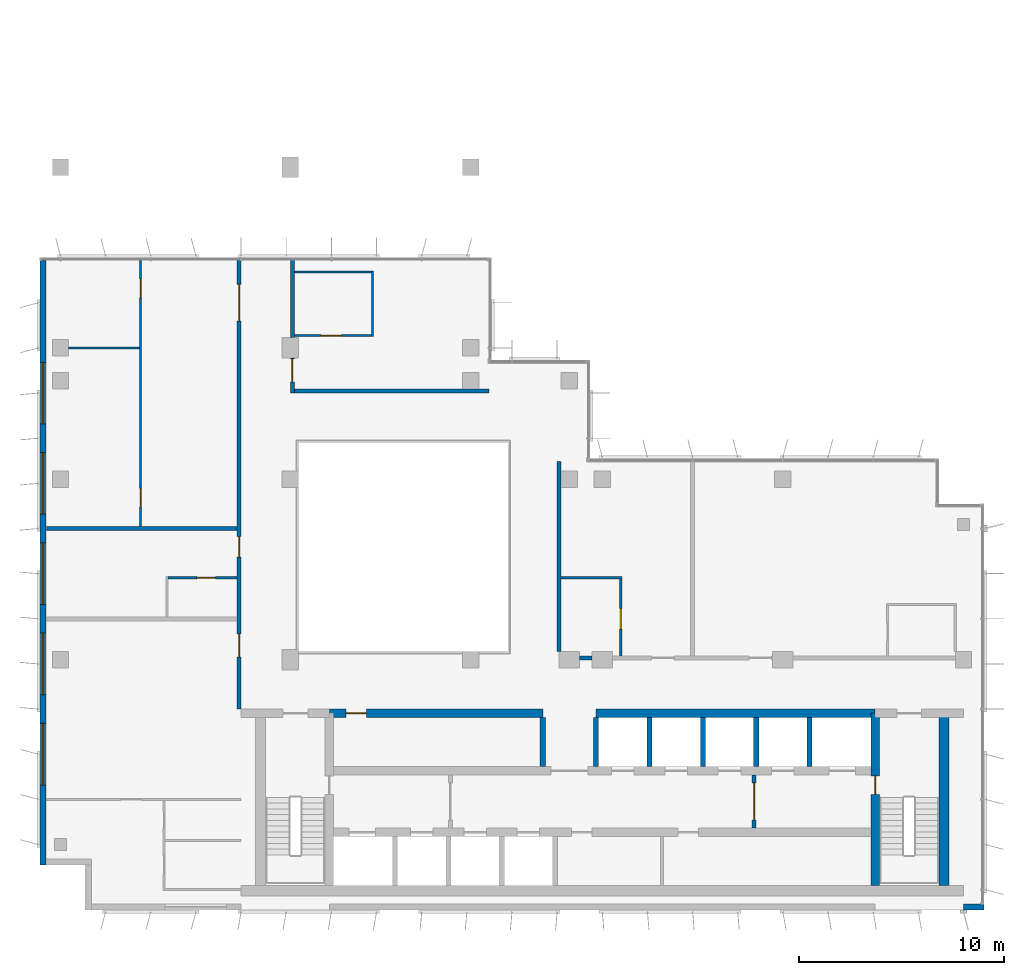
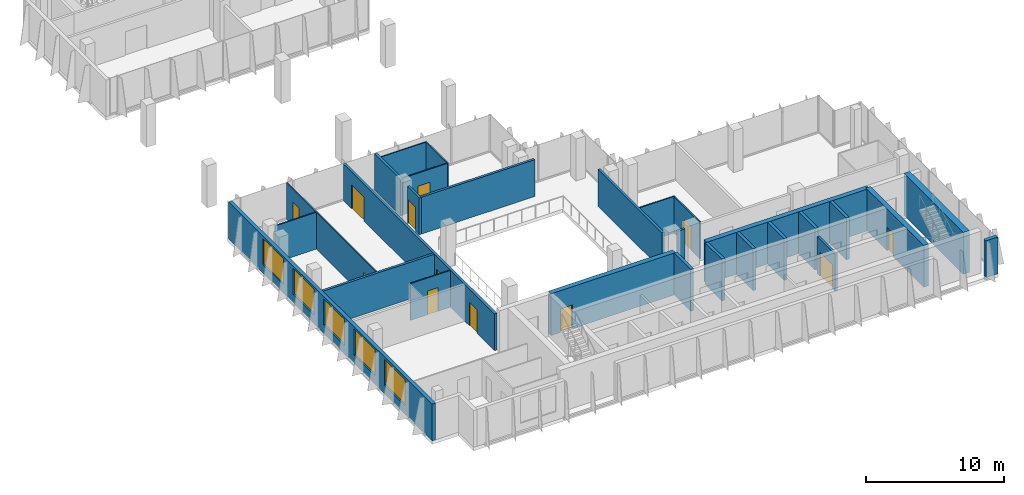
# One storey, part 10 of 13: 28 walls, 12 doors, 5 windows, 17 openings.
"""IFC4 building model written with IfcOpenShell, lengths in metres."""

from ifc_helpers import new_model, si_unit, direction, frame, frame_2d, origin, place, context, subcontext, project, spatial, rectangle, extrude, material, layer, layer_set, type_object, element, fill, save


model = new_model("IFC4")

# Units and contexts
model_context = context("Model", 3, precision=1e-05, world=origin(), true_north=direction((0.0, 1.0)))
body_context = subcontext(model_context, "Body", "Model", "MODEL_VIEW")
ifc_project = project(units=[si_unit("LENGTHUNIT", "METRE"), si_unit("AREAUNIT", "SQUARE_METRE"), si_unit("VOLUMEUNIT", "CUBIC_METRE"), si_unit("PLANEANGLEUNIT", "RADIAN"), si_unit("MASSUNIT", "GRAM", prefix="KILO")], contexts=[model_context])

# Site, building, storey
site_placement = place(None, origin())
site = spatial("IfcSite", under=ifc_project, at=site_placement, CompositionType="ELEMENT")
building_placement = place(site_placement, origin())
building = spatial("IfcBuilding", under=site, at=building_placement, Name="Kemantara Hotel Tower", CompositionType="ELEMENT")
storey_placement = place(building_placement, frame((0.0, 0.0, 252.39990234375)))
storey = spatial("IfcBuildingStorey", under=building, at=storey_placement, Name="L63", CompositionType="ELEMENT", Elevation=252.39990234375)

# Wall, openings, windows
ifc_material_1 = material(Name="Bronze anodised aluminium cladding on insulated steel stud wall", Category="steel")
ifc_layer_1 = layer(ifc_material_1, 0.300048828125)
ifc_layer_set_1 = layer_set([ifc_layer_1], Name="Bronze anodised aluminium cladding on insulated steel stud wall")
wall_type_1 = type_object("IfcWallType", Name="BRONZE METAL-CLAD EXTERNAL WALL 300", PredefinedType="STANDARD", material=ifc_layer_set_1)
wall_1_placement = place(storey_placement, frame((0.14990234375, 31.64990234375, 0.0), z_axis=(0.0, 0.0, 1.0), x_axis=(0.0, -1.0, 0.0)))
wall_1 = element("IfcWall", 1, at=wall_1_placement, inside=storey, type_object=wall_type_1, Name="EXTERNAL WALL L63 T4P-R02", PredefinedType="STANDARD", context=body_context, shape_type="SweptSolid", body=[
    extrude(rectangle(XDim=29.449951171875, YDim=0.300048828125, at=frame_2d((14.72509765625, 0.0))), origin(), (0.0, 0.0, 1.0), 3.25),
])
opening_1_placement = place(wall_1_placement, frame((4.949951171875, 0.0, 0.75)))
opening_1 = element("IfcOpeningElement", 2, at=opening_1_placement, cuts=wall_1, Name="Opening W1", PredefinedType="OPENING", context=body_context, shape_type="SweptSolid", body=[
    extrude(rectangle(XDim=3.0, YDim=2.300048828125, at=frame_2d((1.5, 1.14990234375))), frame((0.0, 0.159912109375, 0.0), z_axis=(0.0, -1.0, 0.0), x_axis=(1.0, 0.0, 0.0)), (0.0, 0.0, 1.0), 0.320068359375),
])
opening_2_placement = place(wall_1_placement, frame((9.35009765625, 0.0, 0.75)))
opening_2 = element("IfcOpeningElement", 3, at=opening_2_placement, cuts=wall_1, Name="Opening W1", PredefinedType="OPENING", context=body_context, shape_type="SweptSolid", body=[
    extrude(rectangle(XDim=3.0, YDim=2.300048828125, at=frame_2d((1.5, 1.14990234375))), frame((0.0, 0.159912109375, 0.0), z_axis=(0.0, -1.0, 0.0), x_axis=(1.0, 0.0, 0.0)), (0.0, 0.0, 1.0), 0.320068359375),
])
opening_3_placement = place(wall_1_placement, frame((13.75, 0.0, 0.75)))
opening_3 = element("IfcOpeningElement", 4, at=opening_3_placement, cuts=wall_1, Name="Opening W1", PredefinedType="OPENING", context=body_context, shape_type="SweptSolid", body=[
    extrude(rectangle(XDim=3.0, YDim=2.300048828125, at=frame_2d((1.5, 1.14990234375))), frame((0.0, 0.159912109375, 0.0), z_axis=(0.0, -1.0, 0.0), x_axis=(1.0, 0.0, 0.0)), (0.0, 0.0, 1.0), 0.320068359375),
])
opening_4_placement = place(wall_1_placement, frame((18.14990234375, 0.0, 0.75)))
opening_4 = element("IfcOpeningElement", 5, at=opening_4_placement, cuts=wall_1, Name="Opening W1", PredefinedType="OPENING", context=body_context, shape_type="SweptSolid", body=[
    extrude(rectangle(XDim=3.0, YDim=2.300048828125, at=frame_2d((1.5, 1.14990234375))), frame((0.0, 0.159912109375, 0.0), z_axis=(0.0, -1.0, 0.0), x_axis=(1.0, 0.0, 0.0)), (0.0, 0.0, 1.0), 0.320068359375),
])
opening_5_placement = place(wall_1_placement, frame((22.550048828125, 0.0, 0.75)))
opening_5 = element("IfcOpeningElement", 6, at=opening_5_placement, cuts=wall_1, Name="Opening W1", PredefinedType="OPENING", context=body_context, shape_type="SweptSolid", body=[
    extrude(rectangle(XDim=3.0, YDim=2.300048828125, at=frame_2d((1.5, 1.14990234375))), frame((0.0, 0.159912109375, 0.0), z_axis=(0.0, -1.0, 0.0), x_axis=(1.0, 0.0, 0.0)), (0.0, 0.0, 1.0), 0.320068359375),
])
ifc_material_2 = material(Name="Low-E tinted double insulated glass in bronze anodised aluminium frame", Category="aluminium")
window_type = type_object("IfcWindowType", Name="CHICAGO WINDOW, TRIPLE PANEL 3000x2300", PartitioningType="TRIPLE_PANEL_VERTICAL", PredefinedType="WINDOW", material=ifc_material_2)
window_1_placement = place(opening_1_placement, origin())
window_1 = element("IfcWindow", 7, at=window_1_placement, inside=storey, type_object=window_type, Name="CHICAGO WINDOW L63 T4P-R02-66", OverallHeight=2.300048828125, OverallWidth=3.0, PartitioningType="SINGLE_PANEL", PredefinedType="WINDOW", context=body_context, shape_type="SweptSolid", body=[
    extrude(rectangle(XDim=3.0, YDim=2.300048828125, at=frame_2d((1.5, 1.14990234375))), frame((0.0, 0.030029296875, 0.0), z_axis=(0.0, -1.0, 0.0), x_axis=(1.0, 0.0, 0.0)), (0.0, 0.0, 1.0), 0.06005859375),
])
fill(opening_1, window_1)
window_2_placement = place(opening_2_placement, origin())
window_2 = element("IfcWindow", 8, at=window_2_placement, inside=storey, type_object=window_type, Name="CHICAGO WINDOW L63 T4P-R02-110", OverallHeight=2.300048828125, OverallWidth=3.0, PartitioningType="SINGLE_PANEL", PredefinedType="WINDOW", context=body_context, shape_type="SweptSolid", body=[
    extrude(rectangle(XDim=3.0, YDim=2.300048828125, at=frame_2d((1.5, 1.14990234375))), frame((0.0, 0.030029296875, 0.0), z_axis=(0.0, -1.0, 0.0), x_axis=(1.0, 0.0, 0.0)), (0.0, 0.0, 1.0), 0.06005859375),
])
fill(opening_2, window_2)
window_3_placement = place(opening_3_placement, origin())
window_3 = element("IfcWindow", 9, at=window_3_placement, inside=storey, type_object=window_type, Name="CHICAGO WINDOW L63 T4P-R02-154", OverallHeight=2.300048828125, OverallWidth=3.0, PartitioningType="SINGLE_PANEL", PredefinedType="WINDOW", context=body_context, shape_type="SweptSolid", body=[
    extrude(rectangle(XDim=3.0, YDim=2.300048828125, at=frame_2d((1.5, 1.14990234375))), frame((0.0, 0.030029296875, 0.0), z_axis=(0.0, -1.0, 0.0), x_axis=(1.0, 0.0, 0.0)), (0.0, 0.0, 1.0), 0.06005859375),
])
fill(opening_3, window_3)
window_4_placement = place(opening_4_placement, origin())
window_4 = element("IfcWindow", 10, at=window_4_placement, inside=storey, type_object=window_type, Name="CHICAGO WINDOW L63 T4P-R02-198", OverallHeight=2.300048828125, OverallWidth=3.0, PartitioningType="SINGLE_PANEL", PredefinedType="WINDOW", context=body_context, shape_type="SweptSolid", body=[
    extrude(rectangle(XDim=3.0, YDim=2.300048828125, at=frame_2d((1.5, 1.14990234375))), frame((0.0, 0.030029296875, 0.0), z_axis=(0.0, -1.0, 0.0), x_axis=(1.0, 0.0, 0.0)), (0.0, 0.0, 1.0), 0.06005859375),
])
fill(opening_4, window_4)
window_5_placement = place(opening_5_placement, origin())
window_5 = element("IfcWindow", 11, at=window_5_placement, inside=storey, type_object=window_type, Name="CHICAGO WINDOW L63 T4P-R02-242", OverallHeight=2.300048828125, OverallWidth=3.0, PartitioningType="SINGLE_PANEL", PredefinedType="WINDOW", context=body_context, shape_type="SweptSolid", body=[
    extrude(rectangle(XDim=3.0, YDim=2.300048828125, at=frame_2d((1.5, 1.14990234375))), frame((0.0, 0.030029296875, 0.0), z_axis=(0.0, -1.0, 0.0), x_axis=(1.0, 0.0, 0.0)), (0.0, 0.0, 1.0), 0.06005859375),
])
fill(opening_5, window_5)

# Walls
wall_2_placement = place(storey_placement, frame((45.0, 0.14990234375, 0.0), z_axis=(0.0, 0.0, 1.0), x_axis=(1.0, 0.0, 0.0)))
element("IfcWall", 12, at=wall_2_placement, inside=storey, type_object=wall_type_1, Name="EXTERNAL WALL L63 T4P-R05-3", PredefinedType="STANDARD", context=body_context, shape_type="SweptSolid", body=[
    extrude(rectangle(XDim=1.0, YDim=0.300048828125, at=frame_2d((0.5, 0.0))), origin(), (0.0, 0.0, 1.0), 3.25),
])
ifc_material_3 = material(Name="Concrete fc 60 MPa", Category="concrete")
ifc_layer_2 = layer(ifc_material_3, 0.25)
ifc_layer_set_2 = layer_set([ifc_layer_2], Name="Concrete fc 60 MPa")
wall_type_2 = type_object("IfcWallType", Name="CORE WALL 250 FC60", PredefinedType="SHEAR", material=ifc_layer_set_2)
for number, where, z_axis, x_axis, name in (
    (13, (24.5, 7.0, 0.0), (0.0, 0.0, 1.0), (0.0, 1.0, 0.0), "CORE WALL CW-DN24.5"),
    (14, (27.10009765625, 7.0, 0.0), (0.0, 0.0, 1.0), (0.0, 1.0, 0.0), "CORE WALL CW-DN27.1"),
    (15, (29.699951171875, 7.0, 0.0), (0.0, 0.0, 1.0), (0.0, 1.0, 0.0), "CORE WALL CW-DN29.7"),
    (16, (32.300048828125, 7.0, 0.0), (0.0, 0.0, 1.0), (0.0, 1.0, 0.0), "CORE WALL CW-DN32.3"),
    (17, (34.89990234375, 7.0, 0.0), (0.0, 0.0, 1.0), (0.0, 1.0, 0.0), "CORE WALL CW-DN34.9"),
    (18, (37.5, 7.0, 0.0), (0.0, 0.0, 1.0), (0.0, 1.0, 0.0), "CORE WALL CW-DN37.5"),
):
    element("IfcWall", number, at=place(storey_placement, frame(where, z_axis=z_axis, x_axis=x_axis)), inside=storey, type_object=wall_type_2, Name=name, PredefinedType="SHEAR", context=body_context, shape_type="SweptSolid", body=[
        extrude(rectangle(XDim=2.39990234375, YDim=0.25, at=frame_2d((1.199951171875, 0.0))), origin(), (0.0, 0.0, 1.0), 3.7001953125),
    ])

# Wall, opening, door
ifc_layer_3 = layer(ifc_material_3, 0.39990234375)
ifc_layer_set_3 = layer_set([ifc_layer_3], Name="Concrete fc 60 MPa")
wall_type_3 = type_object("IfcWallType", Name="CORE WALL 400 FC60", PredefinedType="SHEAR", material=ifc_layer_set_3)
wall_3_placement = place(storey_placement, frame((14.10009765625, 9.60009765625, 0.0), z_axis=(0.0, 0.0, 1.0), x_axis=(1.0, 0.0, 0.0)))
wall_3 = element("IfcWall", 19, at=wall_3_placement, inside=storey, type_object=wall_type_3, Name="CORE WALL CW-NN1", PredefinedType="SHEAR", context=body_context, shape_type="SweptSolid", body=[
    extrude(rectangle(XDim=10.39990234375, YDim=0.39990234375, at=frame_2d((5.199951171875, 0.0))), origin(), (0.0, 0.0, 1.0), 3.7001953125),
])
opening_6_placement = place(wall_3_placement, frame((0.800048828125, 0.0, 0.0)))
opening_6 = element("IfcOpeningElement", 20, at=opening_6_placement, cuts=wall_3, Name="Opening C37-R-NW1", PredefinedType="OPENING", context=body_context, shape_type="SweptSolid", body=[
    extrude(rectangle(XDim=1.0, YDim=2.10009765625, at=frame_2d((0.5, 1.050048828125))), frame((0.0, 0.2099609375, 0.0), z_axis=(0.0, -1.0, 0.0), x_axis=(1.0, 0.0, 0.0)), (0.0, 0.0, 1.0), 0.419921875),
])
ifc_material_4 = material(Name="Steel fire door", Category="steel")
door_type_1 = type_object("IfcDoorType", Name="Fire door FD30S 1000 x 2100", OperationType="NOTDEFINED", PredefinedType="DOOR", material=ifc_material_4)
door_1_placement = place(opening_6_placement, frame((1.0, 0.0, 0.0), z_axis=(0.0, 0.0, 1.0), x_axis=(-1.0, 0.0, 0.0)))
door_1 = element("IfcDoor", 21, at=door_1_placement, inside=storey, type_object=door_type_1, Name="Housekeeping Store door", OperationType="SINGLE_SWING_RIGHT", OverallHeight=2.10009765625, OverallWidth=1.0, PredefinedType="DOOR", context=body_context, shape_type="SweptSolid", body=[
    extrude(rectangle(XDim=1.0, YDim=2.10009765625, at=frame_2d((0.5, 1.050048828125))), frame((0.0, 0.02490234375, 0.0), z_axis=(0.0, -1.0, 0.0), x_axis=(1.0, 0.0, 0.0)), (0.0, 0.0, 1.0), 0.050048828125),
])
fill(opening_6, door_1)

# Wall
wall_4_placement = place(storey_placement, frame((27.10009765625, 9.60009765625, 0.0), z_axis=(0.0, 0.0, 1.0), x_axis=(1.0, 0.0, 0.0)))
element("IfcWall", 22, at=wall_4_placement, inside=storey, type_object=wall_type_3, Name="CORE WALL CW-NN2", PredefinedType="SHEAR", context=body_context, shape_type="SweptSolid", body=[
    extrude(rectangle(XDim=13.599853515625, YDim=0.39990234375, at=frame_2d((6.7998046875, 0.0))), origin(), (0.0, 0.0, 1.0), 3.7001953125),
])

# Wall, opening, door
wall_5_placement = place(storey_placement, frame((40.699951171875, 1.199951171875, 0.0), z_axis=(0.0, 0.0, 1.0), x_axis=(0.0, 1.0, 0.0)))
wall_5 = element("IfcWall", 23, at=wall_5_placement, inside=storey, type_object=wall_type_3, Name="CORE WALL CW-ST2W", PredefinedType="SHEAR", context=body_context, shape_type="SweptSolid", body=[
    extrude(rectangle(XDim=8.400146484375, YDim=0.39990234375, at=frame_2d((4.2001953125, 0.0))), origin(), (0.0, 0.0, 1.0), 3.7001953125),
])
opening_7_placement = place(wall_5_placement, frame((4.449951171875, 0.0, 0.0)))
opening_7 = element("IfcOpeningElement", 24, at=opening_7_placement, cuts=wall_5, Name="Opening C37-ST2-F", PredefinedType="OPENING", context=body_context, shape_type="SweptSolid", body=[
    extrude(rectangle(XDim=0.89990234375, YDim=2.10009765625, at=frame_2d((0.449951171875, 1.050048828125))), frame((0.0, 0.2099609375, 0.0), z_axis=(0.0, -1.0, 0.0), x_axis=(1.0, 0.0, 0.0)), (0.0, 0.0, 1.0), 0.419921875),
])
door_type_2 = type_object("IfcDoorType", Name="Fire door FD90 900 x 2100", OperationType="NOTDEFINED", PredefinedType="DOOR", material=ifc_material_4)
door_2_placement = place(opening_7_placement, frame((0.89990234375, 0.0, 0.0), z_axis=(0.0, 0.0, 1.0), x_axis=(-1.0, 0.0, 0.0)))
door_2 = element("IfcDoor", 25, at=door_2_placement, inside=storey, type_object=door_type_2, Name="Stair ST2 door to firefighting lobby", OperationType="SINGLE_SWING_LEFT", OverallHeight=2.10009765625, OverallWidth=0.89990234375, PredefinedType="DOOR", context=body_context, shape_type="SweptSolid", body=[
    extrude(rectangle(XDim=0.89990234375, YDim=2.10009765625, at=frame_2d((0.449951171875, 1.050048828125))), frame((0.0, 0.02490234375, 0.0), z_axis=(0.0, -1.0, 0.0), x_axis=(1.0, 0.0, 0.0)), (0.0, 0.0, 1.0), 0.050048828125),
])
fill(opening_7, door_2)

# Walls
ifc_layer_4 = layer(ifc_material_3, 0.5)
ifc_layer_set_4 = layer_set([ifc_layer_4], Name="Concrete fc 60 MPa")
wall_type_4 = type_object("IfcWallType", Name="CORE WALL 500 FC60", PredefinedType="SHEAR", material=ifc_layer_set_4)
wall_6_placement = place(storey_placement, frame((44.050048828125, 1.199951171875, 0.0), z_axis=(0.0, 0.0, 1.0), x_axis=(0.0, 1.0, 0.0)))
element("IfcWall", 26, at=wall_6_placement, inside=storey, type_object=wall_type_4, Name="CORE WALL CW-E", PredefinedType="SHEAR", context=body_context, shape_type="SweptSolid", body=[
    extrude(rectangle(XDim=8.60009765625, YDim=0.5, at=frame_2d((4.300048828125, 0.0))), origin(), (0.0, 0.0, 1.0), 3.7001953125),
])
ifc_material_5 = material(Name="Gypsum board partition, steel studs and mineral wool, 200 mm", Category="steel")
ifc_layer_5 = layer(ifc_material_5, 0.199951171875)
ifc_layer_set_5 = layer_set([ifc_layer_5], Name="Gypsum board partition, steel studs and mineral wool, 200 mm")
wall_type_5 = type_object("IfcWallType", Name="CORRIDOR WALL 200", PredefinedType="PARTITIONING", material=ifc_layer_set_5)
wall_7_placement = place(storey_placement, frame((26.300048828125, 12.300048828125, 0.0), z_axis=(0.0, 0.0, 1.0), x_axis=(1.0, 0.0, 0.0)))
element("IfcWall", 27, at=wall_7_placement, inside=storey, type_object=wall_type_5, Name="CORRIDOR WALL 200 009", PredefinedType="PARTITIONING", context=body_context, shape_type="SweptSolid", body=[
    extrude(rectangle(XDim=0.599853515625, YDim=0.199951171875, at=frame_2d((0.2998046875, 0.0))), origin(), (0.0, 0.0, 1.0), 3.25),
])

# Wall, openings, doors
wall_8_placement = place(storey_placement, frame((9.699951171875, 9.800048828125, 0.0), z_axis=(0.0, 0.0, 1.0), x_axis=(0.0, 1.0, 0.0)))
wall_8 = element("IfcWall", 28, at=wall_8_placement, inside=storey, type_object=wall_type_5, Name="CORRIDOR WALL 200 014", PredefinedType="PARTITIONING", context=body_context, shape_type="SweptSolid", body=[
    extrude(rectangle(XDim=21.8798828125, YDim=0.199951171875, at=frame_2d((10.93994140625, 0.0))), origin(), (0.0, 0.0, 1.0), 3.25),
])
opening_8_placement = place(wall_8_placement, frame((2.550048828125, 0.0, 0.0)))
opening_8 = element("IfcOpeningElement", 29, at=opening_8_placement, cuts=wall_8, Name="Opening F31-005", PredefinedType="OPENING", context=body_context, shape_type="SweptSolid", body=[
    extrude(rectangle(XDim=1.10009765625, YDim=2.10009765625, at=frame_2d((0.550048828125, 1.050048828125))), frame((0.0, 0.10986328125, 0.0), z_axis=(0.0, -1.0, 0.0), x_axis=(1.0, 0.0, 0.0)), (0.0, 0.0, 1.0), 0.219970703125),
])
opening_9_placement = place(wall_8_placement, frame((7.39990234375, 0.0, 0.0)))
opening_9 = element("IfcOpeningElement", 30, at=opening_9_placement, cuts=wall_8, Name="Opening F31-009", PredefinedType="OPENING", context=body_context, shape_type="SweptSolid", body=[
    extrude(rectangle(XDim=1.0, YDim=2.10009765625, at=frame_2d((0.5, 1.050048828125))), frame((0.0, 0.10986328125, 0.0), z_axis=(0.0, -1.0, 0.0), x_axis=(1.0, 0.0, 0.0)), (0.0, 0.0, 1.0), 0.219970703125),
])
opening_10_placement = place(wall_8_placement, frame((18.89990234375, 0.0, 0.0)))
opening_10 = element("IfcOpeningElement", 31, at=opening_10_placement, cuts=wall_8, Name="Opening F31-011", PredefinedType="OPENING", context=body_context, shape_type="SweptSolid", body=[
    extrude(rectangle(XDim=1.800048828125, YDim=2.10009765625, at=frame_2d((0.89990234375, 1.050048828125))), frame((0.0, 0.10986328125, 0.0), z_axis=(0.0, -1.0, 0.0), x_axis=(1.0, 0.0, 0.0)), (0.0, 0.0, 1.0), 0.219970703125),
])
ifc_material_6 = material(Name="Hardwood veneer door leaf with steel frame", Category="steel")
door_type_3 = type_object("IfcDoorType", Name="AMENITY ROOM DOOR 1800 X 2100 FD30S", OperationType="NOTDEFINED", PredefinedType="DOOR", material=ifc_material_6)
door_3_placement = place(opening_10_placement, origin())
door_3 = element("IfcDoor", 32, at=door_3_placement, inside=storey, type_object=door_type_3, Name="AMENITY ROOM DOOR F31-011", OperationType="DOUBLE_DOOR_SINGLE_SWING", OverallHeight=2.10009765625, OverallWidth=1.800048828125, PredefinedType="DOOR", context=body_context, shape_type="SweptSolid", body=[
    extrude(rectangle(XDim=1.800048828125, YDim=2.10009765625, at=frame_2d((0.89990234375, 1.050048828125))), frame((0.0, 0.02490234375, 0.0), z_axis=(0.0, -1.0, 0.0), x_axis=(1.0, 0.0, 0.0)), (0.0, 0.0, 1.0), 0.050048828125),
])
fill(opening_10, door_3)
door_type_4 = type_object("IfcDoorType", Name="GUEST ROOM DOOR 1000 X 2100 FD30S", OperationType="NOTDEFINED", PredefinedType="DOOR", material=ifc_material_6)
door_4_placement = place(opening_9_placement, origin())
door_4 = element("IfcDoor", 33, at=door_4_placement, inside=storey, type_object=door_type_4, Name="GUEST ROOM DOOR F31-009", OperationType="SINGLE_SWING_RIGHT", OverallHeight=2.10009765625, OverallWidth=1.0, PredefinedType="DOOR", context=body_context, shape_type="SweptSolid", body=[
    extrude(rectangle(XDim=1.0, YDim=2.10009765625, at=frame_2d((0.5, 1.050048828125))), frame((0.0, 0.02490234375, 0.0), z_axis=(0.0, -1.0, 0.0), x_axis=(1.0, 0.0, 0.0)), (0.0, 0.0, 1.0), 0.050048828125),
])
fill(opening_9, door_4)
door_type_5 = type_object("IfcDoorType", Name="SUITE ENTRANCE DOOR 1100 X 2100 FD30S", OperationType="NOTDEFINED", PredefinedType="DOOR", material=ifc_material_6)
door_5_placement = place(opening_8_placement, origin())
door_5 = element("IfcDoor", 34, at=door_5_placement, inside=storey, type_object=door_type_5, Name="SUITE ENTRANCE DOOR F31-005", OperationType="SINGLE_SWING_RIGHT", OverallHeight=2.10009765625, OverallWidth=1.10009765625, PredefinedType="DOOR", context=body_context, shape_type="SweptSolid", body=[
    extrude(rectangle(XDim=1.10009765625, YDim=2.10009765625, at=frame_2d((0.550048828125, 1.050048828125))), frame((0.0, 0.02490234375, 0.0), z_axis=(0.0, -1.0, 0.0), x_axis=(1.0, 0.0, 0.0)), (0.0, 0.0, 1.0), 0.050048828125),
])
fill(opening_8, door_5)

# Wall, opening, door
wall_9_placement = place(storey_placement, frame((12.300048828125, 26.89990234375, 0.0), z_axis=(0.0, 0.0, 1.0), x_axis=(0.0, -1.0, 0.0)))
wall_9 = element("IfcWall", 35, at=wall_9_placement, inside=storey, type_object=wall_type_5, Name="CORRIDOR WALL 200 017", PredefinedType="PARTITIONING", context=body_context, shape_type="SweptSolid", body=[
    extrude(rectangle(XDim=1.699951171875, YDim=0.199951171875, at=frame_2d((0.85009765625, 0.0))), origin(), (0.0, 0.0, 1.0), 3.25),
])
opening_11_placement = place(wall_9_placement, frame((0.0498046875, 0.0, 0.0)))
opening_11 = element("IfcOpeningElement", 36, at=opening_11_placement, cuts=wall_9, Name="Opening F31-014", PredefinedType="OPENING", context=body_context, shape_type="SweptSolid", body=[
    extrude(rectangle(XDim=1.10009765625, YDim=2.10009765625, at=frame_2d((0.550048828125, 1.050048828125))), frame((0.0, 0.10986328125, 0.0), z_axis=(0.0, -1.0, 0.0), x_axis=(1.0, 0.0, 0.0)), (0.0, 0.0, 1.0), 0.219970703125),
])
door_type_6 = type_object("IfcDoorType", Name="GUEST ROOM DOOR 1100 X 2100 FD30S", OperationType="NOTDEFINED", PredefinedType="DOOR", material=ifc_material_6)
door_6_placement = place(opening_11_placement, origin())
door_6 = element("IfcDoor", 37, at=door_6_placement, inside=storey, type_object=door_type_6, Name="GUEST ROOM DOOR F31-014", OperationType="SINGLE_SWING_RIGHT", OverallHeight=2.10009765625, OverallWidth=1.10009765625, PredefinedType="DOOR", context=body_context, shape_type="SweptSolid", body=[
    extrude(rectangle(XDim=1.10009765625, YDim=2.10009765625, at=frame_2d((0.550048828125, 1.050048828125))), frame((0.0, 0.02490234375, 0.0), z_axis=(0.0, -1.0, 0.0), x_axis=(1.0, 0.0, 0.0)), (0.0, 0.0, 1.0), 0.050048828125),
])
fill(opening_11, door_6)

# Walls
wall_10_placement = place(storey_placement, frame((12.300048828125, 27.900146484375, 0.0), z_axis=(0.0, 0.0, 1.0), x_axis=(0.0, 1.0, 0.0)))
element("IfcWall", 38, at=wall_10_placement, inside=storey, type_object=wall_type_5, Name="CORRIDOR WALL 200 018", PredefinedType="PARTITIONING", context=body_context, shape_type="SweptSolid", body=[
    extrude(rectangle(XDim=3.77978515625, YDim=0.199951171875, at=frame_2d((1.889892578125, 0.0))), origin(), (0.0, 0.0, 1.0), 3.25),
])
ifc_layer_6 = layer(ifc_material_5, 0.199951171875)
ifc_layer_set_6 = layer_set([ifc_layer_6], Name="Gypsum board partition, steel studs and mineral wool, 200 mm")
wall_type_6 = type_object("IfcWallType", Name="GUEST ROOM PARTY WALL 200", PredefinedType="PARTITIONING", material=ifc_layer_set_6)
wall_11_placement = place(storey_placement, frame((25.300048828125, 12.60009765625, 0.0), z_axis=(0.0, 0.0, 1.0), x_axis=(0.0, 1.0, 0.0)))
element("IfcWall", 39, at=wall_11_placement, inside=storey, type_object=wall_type_6, Name="GUEST ROOM PARTY WALL 200 012", PredefinedType="PARTITIONING", context=body_context, shape_type="SweptSolid", body=[
    extrude(rectangle(XDim=9.27001953125, YDim=0.199951171875, at=frame_2d((4.635009765625, 0.0))), origin(), (0.0, 0.0, 1.0), 3.25),
])
wall_12_placement = place(storey_placement, frame((0.31005859375, 18.60009765625, 0.0), z_axis=(0.0, 0.0, 1.0), x_axis=(1.0, 0.0, 0.0)))
element("IfcWall", 40, at=wall_12_placement, inside=storey, type_object=wall_type_6, Name="GUEST ROOM PARTY WALL 200 016", PredefinedType="PARTITIONING", context=body_context, shape_type="SweptSolid", body=[
    extrude(rectangle(XDim=9.2900390625, YDim=0.199951171875, at=frame_2d((4.64501953125, 0.0))), origin(), (0.0, 0.0, 1.0), 3.25),
])
wall_13_placement = place(storey_placement, frame((12.39990234375, 25.300048828125, 0.0), z_axis=(0.0, 0.0, 1.0), x_axis=(1.0, 0.0, 0.0)))
element("IfcWall", 41, at=wall_13_placement, inside=storey, type_object=wall_type_6, Name="GUEST ROOM PARTY WALL 200 019", PredefinedType="PARTITIONING", context=body_context, shape_type="SweptSolid", body=[
    extrude(rectangle(XDim=9.47021484375, YDim=0.199951171875, at=frame_2d((4.735107421875, 0.0))), origin(), (0.0, 0.0, 1.0), 3.25),
])

# Wall, opening, door
ifc_material_7 = material(Name="Gypsum board shaft wall")
ifc_layer_7 = layer(ifc_material_7, 0.199951171875)
ifc_layer_set_7 = layer_set([ifc_layer_7], Name="Gypsum board shaft wall")
wall_type_7 = type_object("IfcWallType", Name="Gypsum board shaft wall 200 mm", PredefinedType="PARTITIONING", material=ifc_layer_set_7)
wall_14_placement = place(storey_placement, frame((34.800048828125, 4.0, 0.0), z_axis=(0.0, 0.0, 1.0), x_axis=(0.0, 1.0, 0.0)))
wall_14 = element("IfcWall", 42, at=wall_14_placement, inside=storey, type_object=wall_type_7, Name="Firefighting lobby partition east", PredefinedType="PARTITIONING", context=body_context, shape_type="SweptSolid", body=[
    extrude(rectangle(XDim=2.60009765625, YDim=0.199951171875, at=frame_2d((1.300048828125, 0.0))), origin(), (0.0, 0.0, 1.0), 3.25),
])
opening_12_placement = place(wall_14_placement, frame((0.39990234375, 0.0, 0.0)))
opening_12 = element("IfcOpeningElement", 43, at=opening_12_placement, cuts=wall_14, Name="Opening C37-FFE", PredefinedType="OPENING", context=body_context, shape_type="SweptSolid", body=[
    extrude(rectangle(XDim=1.800048828125, YDim=2.10009765625, at=frame_2d((0.89990234375, 1.050048828125))), frame((0.0, 0.10986328125, 0.0), z_axis=(0.0, -1.0, 0.0), x_axis=(1.0, 0.0, 0.0)), (0.0, 0.0, 1.0), 0.219970703125),
])
door_type_7 = type_object("IfcDoorType", Name="Fire door pair FD60 1800 x 2100", OperationType="DOUBLE_DOOR_SINGLE_SWING", PredefinedType="DOOR", material=ifc_material_4)
door_7_placement = place(opening_12_placement, frame((1.800048828125, 0.0, 0.0), z_axis=(0.0, 0.0, 1.0), x_axis=(-1.0, 0.0, 0.0)))
door_7 = element("IfcDoor", 44, at=door_7_placement, inside=storey, type_object=door_type_7, Name="Firefighting lobby door east", OperationType="DOUBLE_DOOR_SINGLE_SWING", OverallHeight=2.10009765625, OverallWidth=1.800048828125, PredefinedType="DOOR", context=body_context, shape_type="SweptSolid", body=[
    extrude(rectangle(XDim=1.800048828125, YDim=2.10009765625, at=frame_2d((0.89990234375, 1.050048828125))), frame((0.0, 0.02490234375, 0.0), z_axis=(0.0, -1.0, 0.0), x_axis=(1.0, 0.0, 0.0)), (0.0, 0.0, 1.0), 0.050048828125),
])
fill(opening_12, door_7)

ifc_material_8 = material(Name="Gypsum board partition on steel studs, 100 mm", Category="steel")
ifc_layer_8 = layer(ifc_material_8, 0.10009765625)
ifc_layer_set_8 = layer_set([ifc_layer_8], Name="Gypsum board partition on steel studs, 100 mm")
wall_type_8 = type_object("IfcWallType", Name="ROOM PARTITION 100", PredefinedType="PARTITIONING", material=ifc_layer_set_8)
wall_15_placement = place(storey_placement, frame((9.60009765625, 16.199951171875, 0.0), z_axis=(0.0, 0.0, 1.0), x_axis=(-1.0, 0.0, 0.0)))
wall_15 = element("IfcWall", 45, at=wall_15_placement, inside=storey, type_object=wall_type_8, Name="ROOM PARTITION 100 020", PredefinedType="PARTITIONING", context=body_context, shape_type="SweptSolid", body=[
    extrude(rectangle(XDim=3.35009765625, YDim=0.10009765625, at=frame_2d((1.675048828125, 0.0))), origin(), (0.0, 0.0, 1.0), 3.25),
])
opening_13_placement = place(wall_15_placement, frame((1.050048828125, 0.0, 0.0)))
opening_13 = element("IfcOpeningElement", 46, at=opening_13_placement, cuts=wall_15, Name="Opening F31-010", PredefinedType="OPENING", context=body_context, shape_type="SweptSolid", body=[
    extrude(rectangle(XDim=0.89990234375, YDim=2.10009765625, at=frame_2d((0.449951171875, 1.050048828125))), frame((0.0, 0.06005859375, 0.0), z_axis=(0.0, -1.0, 0.0), x_axis=(1.0, 0.0, 0.0)), (0.0, 0.0, 1.0), 0.1201171875),
])
door_type_8 = type_object("IfcDoorType", Name="BATHROOM DOOR 900 X 2100", OperationType="NOTDEFINED", PredefinedType="DOOR", material=ifc_material_6)
door_8_placement = place(opening_13_placement, origin())
door_8 = element("IfcDoor", 47, at=door_8_placement, inside=storey, type_object=door_type_8, Name="BATHROOM DOOR F31-010", OperationType="SINGLE_SWING_LEFT", OverallHeight=2.10009765625, OverallWidth=0.89990234375, PredefinedType="DOOR", context=body_context, shape_type="SweptSolid", body=[
    extrude(rectangle(XDim=0.89990234375, YDim=2.10009765625, at=frame_2d((0.449951171875, 1.050048828125))), frame((0.0, 0.02490234375, 0.0), z_axis=(0.0, -1.0, 0.0), x_axis=(1.0, 0.0, 0.0)), (0.0, 0.0, 1.0), 0.050048828125),
])
fill(opening_13, door_8)

# Wall
wall_16_placement = place(storey_placement, frame((25.39990234375, 16.199951171875, 0.0), z_axis=(0.0, 0.0, 1.0), x_axis=(1.0, 0.0, 0.0)))
element("IfcWall", 48, at=wall_16_placement, inside=storey, type_object=wall_type_8, Name="ROOM PARTITION 100 021", PredefinedType="PARTITIONING", context=body_context, shape_type="SweptSolid", body=[
    extrude(rectangle(XDim=2.9501953125, YDim=0.10009765625, at=frame_2d((1.47509765625, 0.0))), origin(), (0.0, 0.0, 1.0), 3.25),
])

# Wall, opening, door
wall_17_placement = place(storey_placement, frame((28.300048828125, 12.39990234375, 0.0), z_axis=(0.0, 0.0, 1.0), x_axis=(0.0, 1.0, 0.0)))
wall_17 = element("IfcWall", 49, at=wall_17_placement, inside=storey, type_object=wall_type_8, Name="ROOM PARTITION 100 022", PredefinedType="PARTITIONING", context=body_context, shape_type="SweptSolid", body=[
    extrude(rectangle(XDim=3.75, YDim=0.10009765625, at=frame_2d((1.875, 0.0))), origin(), (0.0, 0.0, 1.0), 3.25),
])
opening_14_placement = place(wall_17_placement, frame((1.300048828125, 0.0, 0.0)))
opening_14 = element("IfcOpeningElement", 50, at=opening_14_placement, cuts=wall_17, Name="Opening F31-002", PredefinedType="OPENING", context=body_context, shape_type="SweptSolid", body=[
    extrude(rectangle(XDim=1.0, YDim=2.10009765625, at=frame_2d((0.5, 1.050048828125))), frame((0.0, 0.06005859375, 0.0), z_axis=(0.0, -1.0, 0.0), x_axis=(1.0, 0.0, 0.0)), (0.0, 0.0, 1.0), 0.1201171875),
])
door_type_9 = type_object("IfcDoorType", Name="BATHROOM DOOR 1000 X 2100", OperationType="NOTDEFINED", PredefinedType="DOOR", material=ifc_material_6)
door_9_placement = place(opening_14_placement, origin())
door_9 = element("IfcDoor", 51, at=door_9_placement, inside=storey, type_object=door_type_9, Name="BATHROOM DOOR F31-002", OperationType="SINGLE_SWING_LEFT", OverallHeight=2.10009765625, OverallWidth=1.0, PredefinedType="DOOR", context=body_context, shape_type="SweptSolid", body=[
    extrude(rectangle(XDim=1.0, YDim=2.10009765625, at=frame_2d((0.5, 1.050048828125))), frame((0.0, 0.02490234375, 0.0), z_axis=(0.0, -1.0, 0.0), x_axis=(1.0, 0.0, 0.0)), (0.0, 0.0, 1.0), 0.050048828125),
])
fill(opening_14, door_9)

# Wall, openings, doors
wall_18_placement = place(storey_placement, frame((4.89990234375, 18.699951171875, 0.0), z_axis=(0.0, 0.0, 1.0), x_axis=(0.0, 1.0, 0.0)))
wall_18 = element("IfcWall", 52, at=wall_18_placement, inside=storey, type_object=wall_type_8, Name="ROOM PARTITION 100 031", PredefinedType="PARTITIONING", context=body_context, shape_type="SweptSolid", body=[
    extrude(rectangle(XDim=12.969970703125, YDim=0.10009765625, at=frame_2d((6.48486328125, 0.0))), origin(), (0.0, 0.0, 1.0), 3.25),
])
opening_15_placement = place(wall_18_placement, frame((11.14990234375, 0.0, 0.0)))
opening_15 = element("IfcOpeningElement", 53, at=opening_15_placement, cuts=wall_18, Name="Opening F31-012", PredefinedType="OPENING", context=body_context, shape_type="SweptSolid", body=[
    extrude(rectangle(XDim=0.89990234375, YDim=2.10009765625, at=frame_2d((0.449951171875, 1.050048828125))), frame((0.0, 0.06005859375, 0.0), z_axis=(0.0, -1.0, 0.0), x_axis=(1.0, 0.0, 0.0)), (0.0, 0.0, 1.0), 0.1201171875),
])
opening_16_placement = place(wall_18_placement, frame((0.949951171875, 0.0, 0.0)))
opening_16 = element("IfcOpeningElement", 54, at=opening_16_placement, cuts=wall_18, Name="Opening F31-013", PredefinedType="OPENING", context=body_context, shape_type="SweptSolid", body=[
    extrude(rectangle(XDim=0.89990234375, YDim=2.10009765625, at=frame_2d((0.449951171875, 1.050048828125))), frame((0.0, 0.06005859375, 0.0), z_axis=(0.0, -1.0, 0.0), x_axis=(1.0, 0.0, 0.0)), (0.0, 0.0, 1.0), 0.1201171875),
])
door_type_10 = type_object("IfcDoorType", Name="INTERNAL DOOR 900 X 2100", OperationType="NOTDEFINED", PredefinedType="DOOR", material=ifc_material_6)
door_10_placement = place(opening_15_placement, origin())
door_10 = element("IfcDoor", 55, at=door_10_placement, inside=storey, type_object=door_type_10, Name="INTERNAL DOOR F31-012", OperationType="SINGLE_SWING_RIGHT", OverallHeight=2.10009765625, OverallWidth=0.89990234375, PredefinedType="DOOR", context=body_context, shape_type="SweptSolid", body=[
    extrude(rectangle(XDim=0.89990234375, YDim=2.10009765625, at=frame_2d((0.449951171875, 1.050048828125))), frame((0.0, 0.02490234375, 0.0), z_axis=(0.0, -1.0, 0.0), x_axis=(1.0, 0.0, 0.0)), (0.0, 0.0, 1.0), 0.050048828125),
])
fill(opening_15, door_10)
door_11_placement = place(opening_16_placement, origin())
door_11 = element("IfcDoor", 56, at=door_11_placement, inside=storey, type_object=door_type_10, Name="INTERNAL DOOR F31-013", OperationType="SINGLE_SWING_LEFT", OverallHeight=2.10009765625, OverallWidth=0.89990234375, PredefinedType="DOOR", context=body_context, shape_type="SweptSolid", body=[
    extrude(rectangle(XDim=0.89990234375, YDim=2.10009765625, at=frame_2d((0.449951171875, 1.050048828125))), frame((0.0, 0.02490234375, 0.0), z_axis=(0.0, -1.0, 0.0), x_axis=(1.0, 0.0, 0.0)), (0.0, 0.0, 1.0), 0.050048828125),
])
fill(opening_16, door_11)

# Walls
wall_19_placement = place(storey_placement, frame((1.400146484375, 27.39990234375, 0.0), z_axis=(0.0, 0.0, 1.0), x_axis=(1.0, 0.0, 0.0)))
element("IfcWall", 57, at=wall_19_placement, inside=storey, type_object=wall_type_8, Name="ROOM PARTITION 100 032", PredefinedType="PARTITIONING", context=body_context, shape_type="SweptSolid", body=[
    extrude(rectangle(XDim=3.449951171875, YDim=0.10009765625, at=frame_2d((1.72509765625, 0.0))), origin(), (0.0, 0.0, 1.0), 3.25),
])
wall_20_placement = place(storey_placement, frame((16.199951171875, 27.949951171875, 0.0), z_axis=(0.0, 0.0, 1.0), x_axis=(0.0, 1.0, 0.0)))
element("IfcWall", 58, at=wall_20_placement, inside=storey, type_object=wall_type_8, Name="ROOM PARTITION 100 033", PredefinedType="PARTITIONING", context=body_context, shape_type="SweptSolid", body=[
    extrude(rectangle(XDim=3.199951171875, YDim=0.10009765625, at=frame_2d((1.60009765625, 0.0))), origin(), (0.0, 0.0, 1.0), 3.25),
])

# Wall, opening, door
wall_21_placement = place(storey_placement, frame((12.39990234375, 28.0, 0.0), z_axis=(0.0, 0.0, 1.0), x_axis=(1.0, 0.0, 0.0)))
wall_21 = element("IfcWall", 59, at=wall_21_placement, inside=storey, type_object=wall_type_8, Name="ROOM PARTITION 100 034", PredefinedType="PARTITIONING", context=body_context, shape_type="SweptSolid", body=[
    extrude(rectangle(XDim=3.75, YDim=0.10009765625, at=frame_2d((1.875, 0.0))), origin(), (0.0, 0.0, 1.0), 3.25),
])
opening_17_placement = place(wall_21_placement, frame((1.300048828125, 0.0, 0.0)))
opening_17 = element("IfcOpeningElement", 60, at=opening_17_placement, cuts=wall_21, Name="Opening F31-015", PredefinedType="OPENING", context=body_context, shape_type="SweptSolid", body=[
    extrude(rectangle(XDim=1.0, YDim=2.10009765625, at=frame_2d((0.5, 1.050048828125))), frame((0.0, 0.06005859375, 0.0), z_axis=(0.0, -1.0, 0.0), x_axis=(1.0, 0.0, 0.0)), (0.0, 0.0, 1.0), 0.1201171875),
])
door_12_placement = place(opening_17_placement, origin())
door_12 = element("IfcDoor", 61, at=door_12_placement, inside=storey, type_object=door_type_9, Name="BATHROOM DOOR F31-015", OperationType="SINGLE_SWING_LEFT", OverallHeight=2.10009765625, OverallWidth=1.0, PredefinedType="DOOR", context=body_context, shape_type="SweptSolid", body=[
    extrude(rectangle(XDim=1.0, YDim=2.10009765625, at=frame_2d((0.5, 1.050048828125))), frame((0.0, 0.02490234375, 0.0), z_axis=(0.0, -1.0, 0.0), x_axis=(1.0, 0.0, 0.0)), (0.0, 0.0, 1.0), 0.050048828125),
])
fill(opening_17, door_12)

# Wall
wall_22_placement = place(storey_placement, frame((12.39990234375, 31.10009765625, 0.0), z_axis=(0.0, 0.0, 1.0), x_axis=(1.0, 0.0, 0.0)))
element("IfcWall", 62, at=wall_22_placement, inside=storey, type_object=wall_type_8, Name="ROOM PARTITION 100 035", PredefinedType="PARTITIONING", context=body_context, shape_type="SweptSolid", body=[
    extrude(rectangle(XDim=3.75, YDim=0.10009765625, at=frame_2d((1.875, 0.0))), origin(), (0.0, 0.0, 1.0), 3.25),
])

save(model, "model.ifc")
